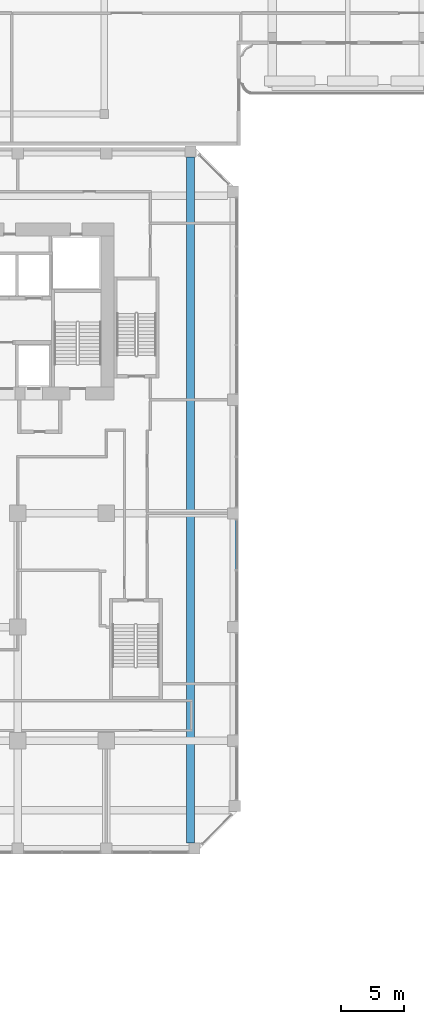
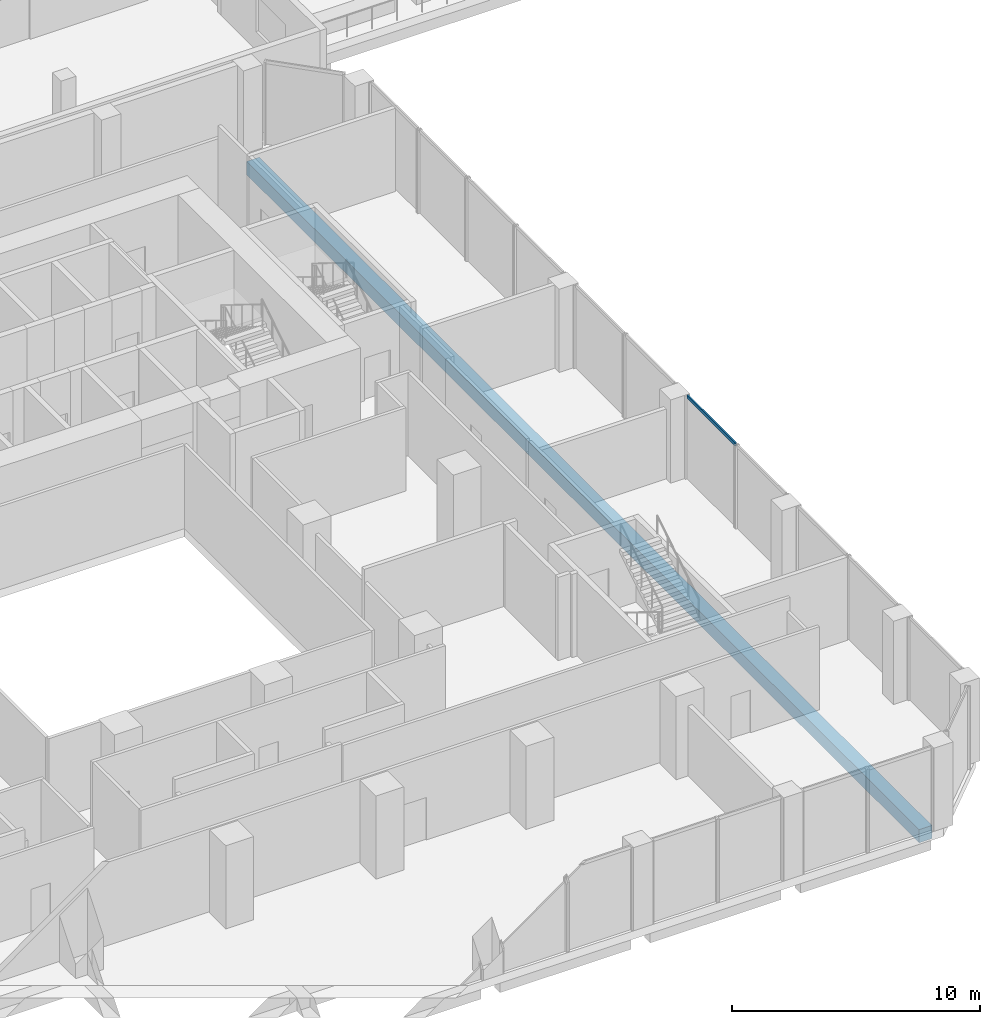
# One storey, part 6 of 36: 1 beam, 1 member, 1 element without a shape of its own.
"""IFC4 building model written with IfcOpenShell, lengths in metres."""

from ifc_helpers import new_model, si_unit, direction, frame, origin, origin_2d, place, context, subcontext, project, spatial, rectangle, extrude, source, transform, mapped, material, material_profile, profile_set, type_object, element, aggregate, save


model = new_model("IFC4")

# Units and contexts
model_context = context("Model", 3, precision=1e-05, world=origin(), true_north=direction((0.0, 1.0)))
body_context = subcontext(model_context, "Body", "Model", "MODEL_VIEW")
ifc_project = project(units=[si_unit("LENGTHUNIT", "METRE"), si_unit("AREAUNIT", "SQUARE_METRE"), si_unit("VOLUMEUNIT", "CUBIC_METRE"), si_unit("PLANEANGLEUNIT", "RADIAN"), si_unit("MASSUNIT", "GRAM", prefix="KILO")], contexts=[model_context])

# Site, building, storey
site_placement = place(None, origin())
site = spatial("IfcSite", under=ifc_project, at=site_placement, CompositionType="ELEMENT")
building_placement = place(site_placement, origin())
building = spatial("IfcBuilding", under=site, at=building_placement, Name="Kilnfold Tower and Market Hall", CompositionType="ELEMENT")
storey_placement = place(building_placement, frame((0.0, 0.0, 18.0)))
storey = spatial("IfcBuildingStorey", under=building, at=storey_placement, Name="L03", CompositionType="ELEMENT", Elevation=18.0)

# Beam
ifc_material_1 = material(Name="Concrete C45", Category="concrete")
ifc_material_profile_1 = material_profile(ifc_material_1, rectangle(XDim=0.60009765625, YDim=0.64990234375, at=origin_2d()), Name="RC 600x650")
ifc_profile_set_1 = profile_set([ifc_material_profile_1], Name="Concrete C45")
beam_type = type_object("IfcBeamType", Name="BEAM 600X650 C45", PredefinedType="BEAM", material=ifc_profile_set_1)
shared_shape_1 = source(origin(), body_context, "Body", "SweptSolid", [
    extrude(rectangle(XDim=0.60009765625, YDim=0.64990234375, at=origin_2d()), origin(), (0.0, 0.0, 1.0), 54.331787109375),
])
beam_placement = place(storey_placement, frame((24.179931640625, -27.10009765625, -0.72509765625), z_axis=(0.0, 1.0, 0.0), x_axis=(-1.0, 0.0, 0.0)))
element("IfcBeam", 1, at=beam_placement, inside=storey, type_object=beam_type, Name="Beam BB650-B1.57", PredefinedType="BEAM", context=body_context, shape_type="MappedRepresentation", body=[
    mapped(shared_shape_1, transform((0.0, 0.0, 0.0))),
])

# Curtain wall, member
ifc_material_2 = material(Name="Aluminium and double glazing", Category="aluminium")
curtain_wall_type = type_object("IfcCurtainWallType", Name="CW BASE PODIUM GLAZING", PredefinedType="NOTDEFINED", material=ifc_material_2)
curtain_wall_placement = place(storey_placement, origin())
curtain_wall = element("IfcCurtainWall", 2, at=curtain_wall_placement, inside=storey, type_object=curtain_wall_type, Name="Curtain wall CW4 L03 E", PredefinedType="NOTDEFINED")
ifc_material_3 = material(Name="Aluminium", Category="aluminium")
ifc_material_profile_2 = material_profile(ifc_material_3, rectangle(XDim=0.070068359375, YDim=0.159912109375, at=origin_2d()), Name="TRANSOM 70x160")
ifc_profile_set_2 = profile_set([ifc_material_profile_2], Name="Aluminium")
member_type = type_object("IfcMemberType", Name="TRANSOM 70X160", PredefinedType="USERDEFINED", material=ifc_profile_set_2)
shared_shape_2 = source(origin(), body_context, "Body", "SweptSolid", [
    extrude(rectangle(XDim=0.070068359375, YDim=0.159912109375, at=origin_2d()), origin(), (0.0, 0.0, 1.0), 3.909912109375),
])
member_placement = place(storey_placement, frame((27.85009765625, -5.429931640625, 4.06494140625), z_axis=(0.0, 1.0, 0.0), x_axis=(-1.0, 0.0, 0.0)))
member = element("IfcMember", 3, at=member_placement, type_object=member_type, Name="CW4 transom 1.2", ObjectType="TRANSOM", PredefinedType="USERDEFINED", context=body_context, shape_type="MappedRepresentation", body=[
    mapped(shared_shape_2, transform((0.0, 0.0, 0.0))),
])
aggregate(curtain_wall, [member])

save(model, "model.ifc")
